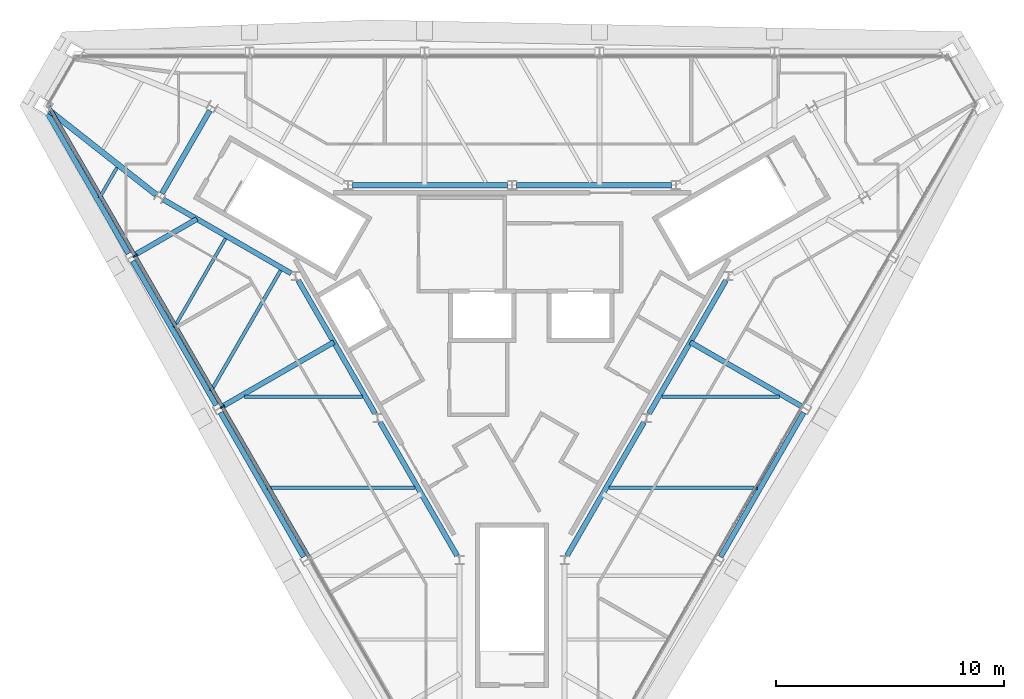
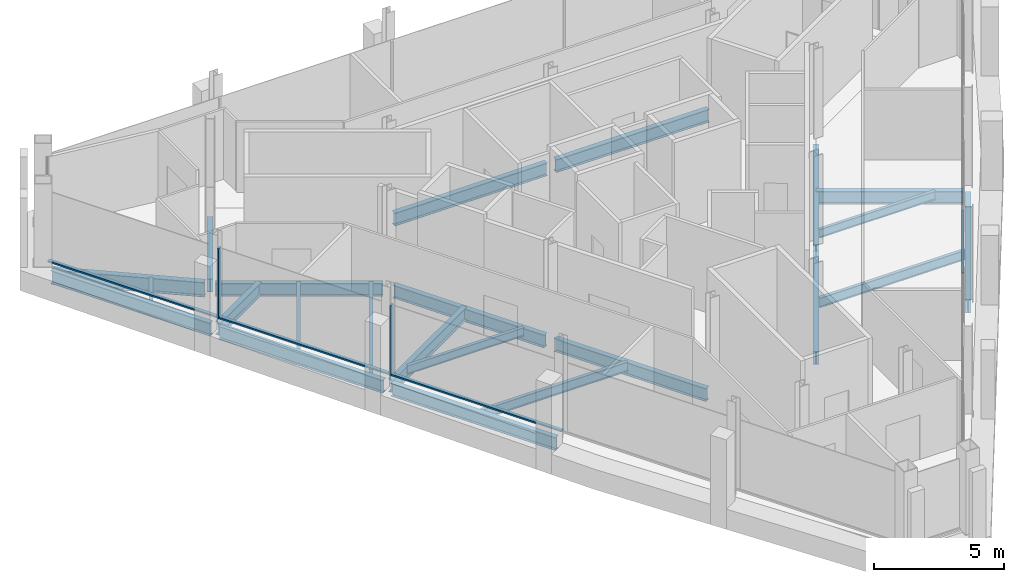
# One storey, part 4 of 11: 23 beams, 6 members, 2 elements without a shape of their own.
"""IFC4 building model written with IfcOpenShell, lengths in metres."""

from ifc_helpers import new_model, si_unit, direction, frame, origin, origin_2d, place, context, subcontext, project, spatial, rectangle, i_section, extrude, material, material_profile, profile_set, type_object, element, aggregate, save


model = new_model("IFC4")

# Units and contexts
model_context = context("Model", 3, precision=1e-05, world=origin(), true_north=direction((0.0, 1.0)))
body_context = subcontext(model_context, "Body", "Model", "MODEL_VIEW")
ifc_project = project(units=[si_unit("LENGTHUNIT", "METRE"), si_unit("AREAUNIT", "SQUARE_METRE"), si_unit("VOLUMEUNIT", "CUBIC_METRE"), si_unit("PLANEANGLEUNIT", "RADIAN"), si_unit("MASSUNIT", "GRAM", prefix="KILO")], contexts=[model_context])

# Site, building, storey
site_placement = place(None, origin())
site = spatial("IfcSite", under=ifc_project, at=site_placement, CompositionType="ELEMENT")
building_placement = place(site_placement, origin())
building = spatial("IfcBuilding", under=site, at=building_placement, Name="Verrane Prism Tower", CompositionType="ELEMENT")
storey_placement = place(building_placement, frame((0.0, 0.0, 329.39990234375)))
storey = spatial("IfcBuildingStorey", under=building, at=storey_placement, Name="L83", CompositionType="ELEMENT", Elevation=329.39990234375)

# Beams
ifc_material_1 = material(Name="Steel A992", Category="steel")
ifc_material_profile_1 = material_profile(ifc_material_1, i_section(OverallWidth=0.228271484375, OverallDepth=0.607177734375, WebThickness=0.01123046875, FlangeThickness=0.017333984375, FilletRadius=0.0126953125, at=origin_2d()), Name="W24x76")
ifc_profile_set_1 = profile_set([ifc_material_profile_1], Name="Steel A992")
beam_type_1 = type_object("IfcBeamType", Name="Core ring girder W24x76", PredefinedType="BEAM", material=ifc_profile_set_1)
for number, where, z_axis, x_axis, name in (
    (1, (6.980712890625, 6.800048828125, -0.553466796875), (-1.0, 0.0, 0.0), (0.0, -1.0, 0.0), "Core ring girder L83"),
    (2, (-0.199462890625, 6.800048828125, -0.553466796875), (-1.0, 0.0, 0.0), (0.0, -1.0, 0.0), "Core ring girder L83"),
):
    element("IfcBeam", number, at=place(storey_placement, frame(where, z_axis=z_axis, x_axis=x_axis)), inside=storey, type_object=beam_type_1, Name=name, PredefinedType="BEAM", context=body_context, shape_type="SweptSolid", body=[
        extrude(i_section(OverallWidth=0.228271484375, OverallDepth=0.607177734375, WebThickness=0.01123046875, FlangeThickness=0.017333984375, FilletRadius=0.0126953125, at=origin_2d()), origin(), (0.0, 0.0, 1.0), 6.78125),
    ])
beam_1_placement = place(storey_placement, frame((-13.23974609375, 10.0673828125, -0.553466796875), z_axis=(-0.500323136493, -0.865838760445, 0.0), x_axis=(0.865838760445, -0.500323136493, 0.0)))
element("IfcBeam", 3, at=beam_1_placement, inside=storey, type_object=beam_type_1, Name="Core ring girder L83", PredefinedType="BEAM", context=body_context, shape_type="SweptSolid", body=[
    extrude(i_section(OverallWidth=0.228271484375, OverallDepth=0.607177734375, WebThickness=0.01123046875, FlangeThickness=0.017333984375, FilletRadius=0.0126953125, at=origin_2d()), origin(), (0.0, 0.0, 1.0), 4.197998046875),
])
beam_2_placement = place(storey_placement, frame((-15.272705078125, 6.16357421875, -0.553466796875), z_axis=(0.866076057046, -0.499912255713, 0.0), x_axis=(0.499912255713, 0.866076057046, 0.0)))
element("IfcBeam", 4, at=beam_2_placement, inside=storey, type_object=beam_type_1, Name="Core ring girder L83", PredefinedType="BEAM", context=body_context, shape_type="SweptSolid", body=[
    extrude(i_section(OverallWidth=0.228271484375, OverallDepth=0.607177734375, WebThickness=0.01123046875, FlangeThickness=0.017333984375, FilletRadius=0.0126953125, at=origin_2d()), origin(), (0.0, 0.0, 1.0), 6.458251953125),
])
for number, where, z_axis, x_axis, name in (
    (5, (-9.36865234375, 2.626953125, -0.553466796875), (0.499881421193, -0.866093854468, 0.0), (0.866093854468, 0.499881421193, 0.0), "Core ring girder L83"),
    (6, (-5.778564453125, -3.593017578125, -0.553466796875), (0.499881421193, -0.866093854468, 0.0), (0.866093854468, 0.499881421193, 0.0), "Core ring girder L83"),
    (7, (2.411376953125, -9.427001953125, -0.553466796875), (0.499881421193, 0.866093854468, 0.0), (-0.866093854468, 0.499881421193, 0.0), "Core ring girder L83"),
    (8, (6.00146484375, -3.20703125, -0.553466796875), (0.499881421193, 0.866093854468, 0.0), (-0.866093854468, 0.499881421193, 0.0), "Core ring girder L83"),
):
    element("IfcBeam", number, at=place(storey_placement, frame(where, z_axis=z_axis, x_axis=x_axis)), inside=storey, type_object=beam_type_1, Name=name, PredefinedType="BEAM", context=body_context, shape_type="SweptSolid", body=[
        extrude(i_section(OverallWidth=0.228271484375, OverallDepth=0.607177734375, WebThickness=0.01123046875, FlangeThickness=0.017333984375, FilletRadius=0.0126953125, at=origin_2d()), origin(), (0.0, 0.0, 1.0), 6.736083984375),
    ])
ifc_material_2 = material(Name="Steel A992", Category="steel")
ifc_material_profile_2 = material_profile(ifc_material_2, i_section(OverallWidth=0.25390625, OverallDepth=0.683349609375, WebThickness=0.012451171875, FlangeThickness=0.01904296875, FilletRadius=0.01513671875, at=origin_2d()), Name="W27x94")
ifc_profile_set_2 = profile_set([ifc_material_profile_2], Name="Steel A992")
beam_type_2 = type_object("IfcBeamType", Name="Corner girder W27x94", PredefinedType="BEAM", material=ifc_profile_set_2)
beam_3_placement = place(storey_placement, frame((-20.26220703125, 10.06103515625, -0.5615234375), z_axis=(0.785339810319, -0.619064925777, 0.0), x_axis=(0.619064925777, 0.785339810319, 0.0)))
element("IfcBeam", 9, at=beam_3_placement, inside=storey, type_object=beam_type_2, Name="Corner girder L83", PredefinedType="BEAM", context=body_context, shape_type="SweptSolid", body=[
    extrude(i_section(OverallWidth=0.25390625, OverallDepth=0.683349609375, WebThickness=0.012451171875, FlangeThickness=0.01904296875, FilletRadius=0.01513671875, at=origin_2d()), origin(), (0.0, 0.0, 1.0), 5.945068359375),
])
ifc_material_3 = material(Name="Steel A992", Category="steel")
ifc_material_profile_3 = material_profile(ifc_material_3, i_section(OverallWidth=0.140380859375, OverallDepth=0.40380859375, WebThickness=0.007080078125, FlangeThickness=0.01123046875, FilletRadius=0.01025390625, at=origin_2d()), Name="W16x31")
ifc_profile_set_3 = profile_set([ifc_material_profile_3], Name="Steel A992")
beam_type_3 = type_object("IfcBeamType", Name="Floor beam W16x31", PredefinedType="BEAM", material=ifc_profile_set_3)
beam_4_placement = place(storey_placement, frame((-18.076904296875, 6.23779296875, -0.36181640625), z_axis=(0.499978844458, 0.866037617598, 0.0), x_axis=(-0.866037617598, 0.499978844458, 0.0)))
element("IfcBeam", 10, at=beam_4_placement, inside=storey, type_object=beam_type_3, Name="Floor beam L83", PredefinedType="BEAM", context=body_context, shape_type="SweptSolid", body=[
    extrude(i_section(OverallWidth=0.140380859375, OverallDepth=0.40380859375, WebThickness=0.007080078125, FlangeThickness=0.01123046875, FilletRadius=0.01025390625, at=origin_2d()), origin(), (0.0, 0.0, 1.0), 1.53857421875),
])
beam_5_placement = place(storey_placement, frame((-14.801513671875, 0.5673828125, -0.36181640625), z_axis=(0.500038829804, 0.866002984226, 0.0), x_axis=(-0.866002984226, 0.500038829804, 0.0)))
element("IfcBeam", 11, at=beam_5_placement, inside=storey, type_object=beam_type_3, Name="Floor beam L83", PredefinedType="BEAM", context=body_context, shape_type="SweptSolid", body=[
    extrude(i_section(OverallWidth=0.140380859375, OverallDepth=0.40380859375, WebThickness=0.007080078125, FlangeThickness=0.01123046875, FilletRadius=0.01025390625, at=origin_2d()), origin(), (0.0, 0.0, 1.0), 4.497802734375),
])
for number, where, z_axis, x_axis, name in (
    (12, (-11.7236328125, -2.469970703125, -0.36181640625), (1.0, 0.0, 0.0), (0.0, 1.0, 0.0), "Floor beam L83"),
    (13, (6.5595703125, -2.469970703125, -0.36181640625), (1.0, 0.0, 0.0), (0.0, 1.0, 0.0), "Floor beam L83"),
):
    element("IfcBeam", number, at=place(storey_placement, frame(where, z_axis=z_axis, x_axis=x_axis)), inside=storey, type_object=beam_type_3, Name=name, PredefinedType="BEAM", context=body_context, shape_type="SweptSolid", body=[
        extrude(i_section(OverallWidth=0.140380859375, OverallDepth=0.40380859375, WebThickness=0.007080078125, FlangeThickness=0.01123046875, FilletRadius=0.01025390625, at=origin_2d()), origin(), (0.0, 0.0, 1.0), 5.1640625),
    ])
ifc_material_4 = material(Name="Steel A992", Category="steel")
ifc_material_profile_4 = material_profile(ifc_material_4, i_section(OverallWidth=0.15234375, OverallDepth=0.449462890625, WebThickness=0.007568359375, FlangeThickness=0.0107421875, FilletRadius=0.01025390625, at=origin_2d()), Name="W18x35")
ifc_profile_set_4 = profile_set([ifc_material_profile_4], Name="Steel A992")
beam_type_4 = type_object("IfcBeamType", Name="Floor beam W18x35", PredefinedType="BEAM", material=ifc_profile_set_4)
beam_6_placement = place(storey_placement, frame((-13.189697265625, -2.219482421875, -0.384765625), z_axis=(0.499979762145, 0.8660370878, 0.0), x_axis=(-0.8660370878, 0.499979762145, 0.0)))
element("IfcBeam", 14, at=beam_6_placement, inside=storey, type_object=beam_type_4, Name="Floor beam L83", PredefinedType="BEAM", context=body_context, shape_type="SweptSolid", body=[
    extrude(i_section(OverallWidth=0.15234375, OverallDepth=0.449462890625, WebThickness=0.007568359375, FlangeThickness=0.0107421875, FilletRadius=0.01025390625, at=origin_2d()), origin(), (0.0, 0.0, 1.0), 6.105224609375),
])
for number, where, z_axis, x_axis, name in (
    (15, (-10.74560546875, -6.4599609375, -0.384765625), (1.0, 0.0, 0.0), (0.0, 1.0, 0.0), "Floor beam L83"),
    (16, (4.251953125, -6.4599609375, -0.384765625), (1.0, 0.0, 0.0), (0.0, 1.0, 0.0), "Floor beam L83"),
):
    element("IfcBeam", number, at=place(storey_placement, frame(where, z_axis=z_axis, x_axis=x_axis)), inside=storey, type_object=beam_type_4, Name=name, PredefinedType="BEAM", context=body_context, shape_type="SweptSolid", body=[
        extrude(i_section(OverallWidth=0.15234375, OverallDepth=0.449462890625, WebThickness=0.007568359375, FlangeThickness=0.0107421875, FilletRadius=0.01025390625, at=origin_2d()), origin(), (0.0, 0.0, 1.0), 6.49365234375),
    ])

# Curtain wall, members
ifc_material_5 = material(Name="Aluminium framed insulated glazing", Category="aluminium")
curtain_wall_type_1 = type_object("IfcCurtainWallType", Name="Curtain wall CW-A 8400 module", PredefinedType="NOTDEFINED", material=ifc_material_5)
curtain_wall_1_placement = place(storey_placement, origin())
curtain_wall_1 = element("IfcCurtainWall", 17, at=curtain_wall_1_placement, inside=storey, type_object=curtain_wall_type_1, Name="Glazed curtain wall south-west face L83", PredefinedType="NOTDEFINED")
ifc_material_6 = material(Name="Aluminium alloy 6063-T6", Category="aluminium")
ifc_material_profile_5 = material_profile(ifc_material_6, rectangle(XDim=0.199951171875, YDim=0.070068359375, at=origin_2d()), Name="Mullion 70x200 aluminium")
ifc_profile_set_5 = profile_set([ifc_material_profile_5], Name="Aluminium alloy 6063-T6")
member_type_1 = type_object("IfcMemberType", Name="Mullion 70x200 aluminium", PredefinedType="MULLION", material=ifc_profile_set_5)
member_1_placement = place(storey_placement, frame((-16.513916015625, 3.708251953125, 0.0), z_axis=(0.0, 0.0, 1.0), x_axis=(0.866025278644, 0.500000216749, 0.0)))
member_1 = element("IfcMember", 18, at=member_1_placement, type_object=member_type_1, Name="CW83.4 mullion 2", PredefinedType="MULLION", context=body_context, shape_type="SweptSolid", body=[
    extrude(rectangle(XDim=0.199951171875, YDim=0.070068359375, at=origin_2d()), origin(), (0.0, 0.0, 1.0), 3.296875),
])
member_2_placement = place(storey_placement, frame((-12.69091796875, -2.912841796875, 0.0), z_axis=(0.0, 0.0, 1.0), x_axis=(0.866025278644, 0.500000216749, 0.0)))
member_2 = element("IfcMember", 19, at=member_2_placement, type_object=member_type_1, Name="CW83.4 mullion 3", PredefinedType="MULLION", context=body_context, shape_type="SweptSolid", body=[
    extrude(rectangle(XDim=0.199951171875, YDim=0.070068359375, at=origin_2d()), origin(), (0.0, 0.0, 1.0), 3.296875),
])

# Beams
ifc_material_7 = material(Name="Steel A992", Category="steel")
ifc_material_profile_6 = material_profile(ifc_material_7, i_section(OverallWidth=0.228271484375, OverallDepth=0.607177734375, WebThickness=0.01123046875, FlangeThickness=0.017333984375, FilletRadius=0.0126953125, at=origin_2d()), Name="W24x76")
ifc_profile_set_6 = profile_set([ifc_material_profile_6], Name="Steel A992")
beam_type_5 = type_object("IfcBeamType", Name="Radial girder W24x76", PredefinedType="BEAM", material=ifc_profile_set_6)
beam_7_placement = place(storey_placement, frame((-16.550537109375, 3.732177734375, -0.5234375), z_axis=(0.866011117715, 0.500024743381, 0.0), x_axis=(-0.500024743381, 0.866011117715, 0.0)))
element("IfcBeam", 20, at=beam_7_placement, inside=storey, type_object=beam_type_5, Name="Radial girder L83", PredefinedType="BEAM", context=body_context, shape_type="SweptSolid", body=[
    extrude(i_section(OverallWidth=0.228271484375, OverallDepth=0.607177734375, WebThickness=0.01123046875, FlangeThickness=0.017333984375, FilletRadius=0.0126953125, at=origin_2d()), origin(), (0.0, 0.0, 1.0), 3.169189453125),
])
for number, where, z_axis, x_axis, name in (
    (21, (-12.71044921875, -2.907958984375, -0.5234375), (0.866021122779, 0.500007414845, 0.0), (-0.500007414845, 0.866021122779, 0.0), "Radial girder L83"),
    (22, (12.71044921875, -2.907958984375, -0.5234375), (-0.866021122779, 0.500007414845, 0.0), (-0.500007414845, -0.866021122779, 0.0), "Radial girder L83"),
):
    element("IfcBeam", number, at=place(storey_placement, frame(where, z_axis=z_axis, x_axis=x_axis)), inside=storey, type_object=beam_type_5, Name=name, PredefinedType="BEAM", context=body_context, shape_type="SweptSolid", body=[
        extrude(i_section(OverallWidth=0.228271484375, OverallDepth=0.607177734375, WebThickness=0.01123046875, FlangeThickness=0.017333984375, FilletRadius=0.0126953125, at=origin_2d()), origin(), (0.0, 0.0, 1.0), 5.6611328125),
    ])
ifc_material_8 = material(Name="Steel A992", Category="steel")
ifc_material_profile_7 = material_profile(ifc_material_8, i_section(OverallWidth=0.228271484375, OverallDepth=0.607177734375, WebThickness=0.01123046875, FlangeThickness=0.017333984375, FilletRadius=0.0126953125, at=origin_2d()), Name="W24x76")
ifc_profile_set_7 = profile_set([ifc_material_profile_7], Name="Steel A992")
beam_type_6 = type_object("IfcBeamType", Name="Spandrel beam W24x76", PredefinedType="SPANDREL", material=ifc_profile_set_7)
beam_8_placement = place(storey_placement, frame((-20.337890625, 9.9296875, -0.46337890625), z_axis=(0.499650748497, -0.866226950358, 0.0), x_axis=(0.866226950358, 0.499650748497, 0.0)))
element("IfcBeam", 23, at=beam_8_placement, inside=storey, type_object=beam_type_6, Name="Spandrel beam L83", PredefinedType="SPANDREL", context=body_context, shape_type="SweptSolid", body=[
    extrude(i_section(OverallWidth=0.228271484375, OverallDepth=0.607177734375, WebThickness=0.01123046875, FlangeThickness=0.017333984375, FilletRadius=0.0126953125, at=origin_2d()), origin(), (0.0, 0.0, 1.0), 7.07421875),
])
beam_9_placement = place(storey_placement, frame((-16.616455078125, 3.478515625, -0.46337890625), z_axis=(0.50061813753, -0.865668227658, 0.0), x_axis=(0.865668227658, 0.50061813753, 0.0)))
element("IfcBeam", 24, at=beam_9_placement, inside=storey, type_object=beam_type_6, Name="Spandrel beam L83", PredefinedType="SPANDREL", context=body_context, shape_type="SweptSolid", body=[
    extrude(i_section(OverallWidth=0.228271484375, OverallDepth=0.607177734375, WebThickness=0.01123046875, FlangeThickness=0.017333984375, FilletRadius=0.0126953125, at=origin_2d()), origin(), (0.0, 0.0, 1.0), 7.297119140625),
])
for number, where, z_axis, x_axis, name in (
    (25, (-12.77685546875, -3.161865234375, -0.46337890625), (0.499074796412, -0.866558911781, 0.0), (0.866558911781, 0.499074796412, 0.0), "Spandrel beam L83"),
    (26, (9.13330078125, -9.48828125, -0.46337890625), (0.499074796412, 0.866558911781, 0.0), (-0.866558911781, 0.499074796412, 0.0), "Spandrel beam L83"),
):
    element("IfcBeam", number, at=place(storey_placement, frame(where, z_axis=z_axis, x_axis=x_axis)), inside=storey, type_object=beam_type_6, Name=name, PredefinedType="SPANDREL", context=body_context, shape_type="SweptSolid", body=[
        extrude(i_section(OverallWidth=0.228271484375, OverallDepth=0.607177734375, WebThickness=0.01123046875, FlangeThickness=0.017333984375, FilletRadius=0.0126953125, at=origin_2d()), origin(), (0.0, 0.0, 1.0), 7.300537109375),
    ])

# Curtain wall, member
ifc_material_9 = material(Name="Aluminium framed insulated glazing", Category="aluminium")
curtain_wall_type_2 = type_object("IfcCurtainWallType", Name="Curtain wall CW-C 4200 module", PredefinedType="NOTDEFINED", material=ifc_material_9)
curtain_wall_2_placement = place(storey_placement, origin())
curtain_wall_2 = element("IfcCurtainWall", 27, at=curtain_wall_2_placement, inside=storey, type_object=curtain_wall_type_2, Name="Glazed curtain wall south-east face L83", PredefinedType="NOTDEFINED")
ifc_material_10 = material(Name="Aluminium alloy 6063-T6", Category="aluminium")
ifc_material_profile_8 = material_profile(ifc_material_10, rectangle(XDim=0.10009765625, YDim=0.050048828125, at=origin_2d()), Name="Transom 50x100 aluminium")
ifc_profile_set_8 = profile_set([ifc_material_profile_8], Name="Aluminium alloy 6063-T6")
member_type_2 = type_object("IfcMemberType", Name="Transom 50x100 aluminium", PredefinedType="USERDEFINED", material=ifc_profile_set_8)
member_3_placement = place(storey_placement, frame((9.730224609375, -8.041259765625, 0.025146484375), z_axis=(0.500011101102, 0.866018994465, 0.0), x_axis=(-0.866018994465, 0.500011101102, 0.0)))
member_3 = element("IfcMember", 28, at=member_3_placement, type_object=member_type_2, Name="CW83.6 transom 5", ObjectType="TRANSOM", PredefinedType="USERDEFINED", context=body_context, shape_type="SweptSolid", body=[
    extrude(rectangle(XDim=0.10009765625, YDim=0.050048828125, at=origin_2d()), origin(), (0.0, 0.0, 1.0), 4.19775390625),
])
aggregate(curtain_wall_2, [member_3])

# Member
ifc_material_11 = material(Name="Aluminium alloy 6063-T6", Category="aluminium")
ifc_material_profile_9 = material_profile(ifc_material_11, rectangle(XDim=0.14990234375, YDim=0.070068359375, at=origin_2d()), Name="Transom 70x150 aluminium")
ifc_profile_set_9 = profile_set([ifc_material_profile_9], Name="Aluminium alloy 6063-T6")
member_type_3 = type_object("IfcMemberType", Name="Transom 70x150 aluminium", PredefinedType="USERDEFINED", material=ifc_profile_set_9)
member_4_placement = place(storey_placement, frame((-20.301513671875, 10.26904296875, 0.03515625), z_axis=(0.499986830474, -0.86603300708, 0.0), x_axis=(0.86603300708, 0.499986830474, 0.0)))
member_4 = element("IfcMember", 29, at=member_4_placement, type_object=member_type_3, Name="CW83.4 transom 1", ObjectType="TRANSOM", PredefinedType="USERDEFINED", context=body_context, shape_type="SweptSolid", body=[
    extrude(rectangle(XDim=0.14990234375, YDim=0.070068359375, at=origin_2d()), origin(), (0.0, 0.0, 1.0), 7.540771484375),
])

member_5_placement = place(storey_placement, frame((-16.496337890625, 3.677978515625, 0.03515625), z_axis=(0.50001072126, -0.866019213774, 0.0), x_axis=(0.866019213774, 0.50001072126, 0.0)))
member_5 = element("IfcMember", 30, at=member_5_placement, type_object=member_type_3, Name="CW83.4 transom 2", ObjectType="TRANSOM", PredefinedType="USERDEFINED", context=body_context, shape_type="SweptSolid", body=[
    extrude(rectangle(XDim=0.14990234375, YDim=0.070068359375, at=origin_2d()), origin(), (0.0, 0.0, 1.0), 7.575439453125),
])

member_6_placement = place(storey_placement, frame((-12.673583984375, -2.943359375, 0.03515625), z_axis=(0.50001072126, -0.866019213774, 0.0), x_axis=(0.866019213774, 0.50001072126, 0.0)))
member_6 = element("IfcMember", 31, at=member_6_placement, type_object=member_type_3, Name="CW83.4 transom 3", ObjectType="TRANSOM", PredefinedType="USERDEFINED", context=body_context, shape_type="SweptSolid", body=[
    extrude(rectangle(XDim=0.14990234375, YDim=0.070068359375, at=origin_2d()), origin(), (0.0, 0.0, 1.0), 7.575439453125),
])

aggregate(curtain_wall_1, [member_1, member_2, member_4, member_5, member_6])

save(model, "model.ifc")
